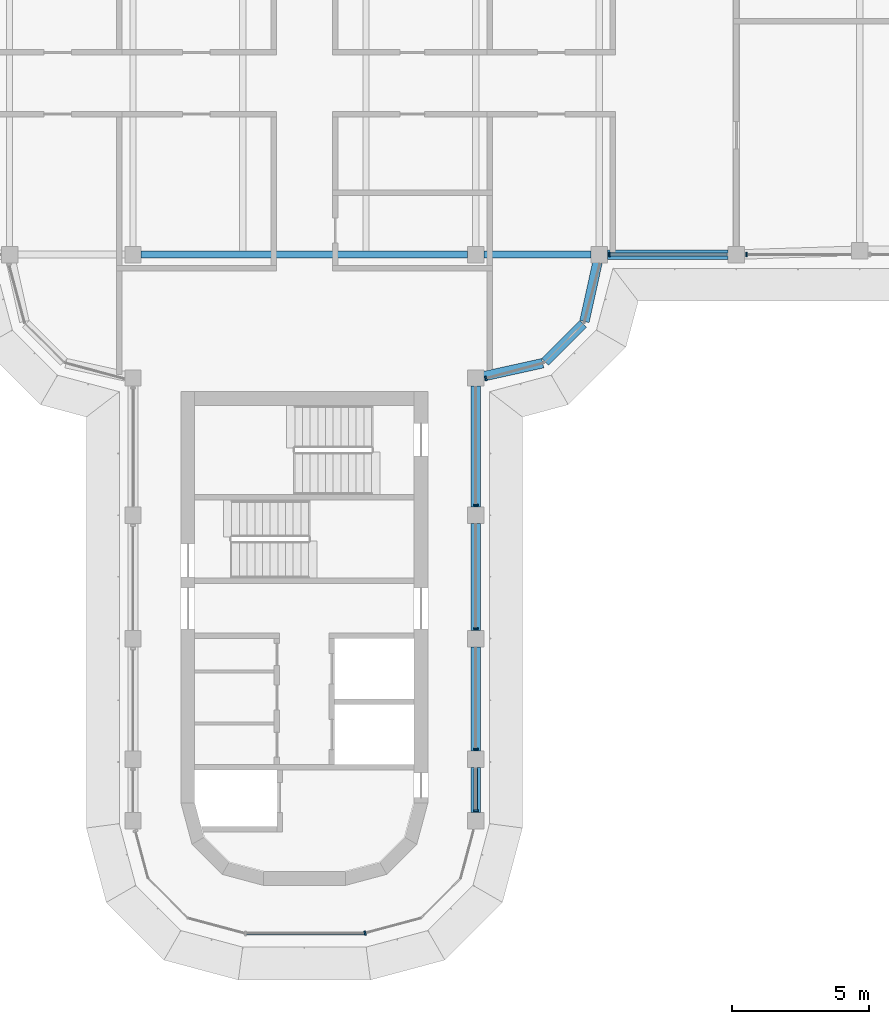
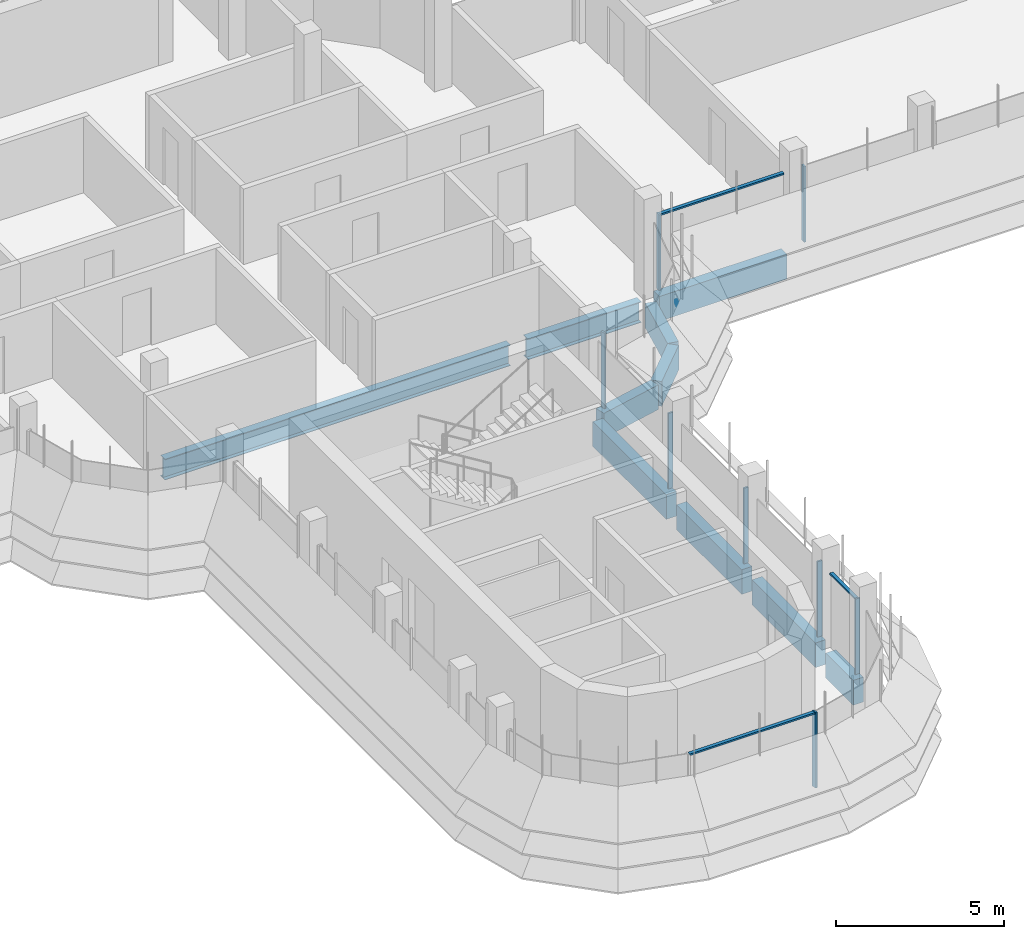
# One storey, part 4 of 19: 11 members, 10 beams, 5 elements without a shape of their own.
"""IFC4 building model written with IfcOpenShell, lengths in metres."""

from ifc_helpers import new_model, si_unit, direction, frame, origin, origin_2d, place, context, subcontext, project, spatial, polyline, rectangle, i_section, outline, extrude, source, transform, mapped, material, material_profile, profile_set, type_object, element, aggregate, save


model = new_model("IFC4")

# Units and contexts
model_context = context("Model", 3, precision=1e-05, world=origin(), true_north=direction((0.0, 1.0)))
body_context = subcontext(model_context, "Body", "Model", "MODEL_VIEW")
ifc_project = project(units=[si_unit("LENGTHUNIT", "METRE"), si_unit("AREAUNIT", "SQUARE_METRE"), si_unit("VOLUMEUNIT", "CUBIC_METRE"), si_unit("PLANEANGLEUNIT", "RADIAN"), si_unit("MASSUNIT", "GRAM", prefix="KILO")], contexts=[model_context])

# Site, building, storey
site_placement = place(None, origin())
site = spatial("IfcSite", under=ifc_project, at=site_placement, CompositionType="ELEMENT")
building_placement = place(site_placement, origin())
building = spatial("IfcBuilding", under=site, at=building_placement, Name="Zarbagh Exchange Tower", CompositionType="ELEMENT")
storey_placement = place(building_placement, frame((0.0, 0.0, 268.800048828125)))
storey = spatial("IfcBuildingStorey", under=building, at=storey_placement, Name="L66", CompositionType="ELEMENT", Elevation=268.800048828125)

# Beams
ifc_material_1 = material(Name="Steel ASTM A992 Gr 50", Category="steel")
ifc_material_profile_1 = material_profile(ifc_material_1, i_section(OverallWidth=0.2666015625, OverallDepth=0.7568359375, WebThickness=0.013916015625, FlangeThickness=0.019287109375, at=origin_2d()), Name="W30X108")
ifc_profile_set_1 = profile_set([ifc_material_profile_1], Name="Steel ASTM A992 Gr 50")
beam_type_1 = type_object("IfcBeamType", Name="Floor girder W30X108", PredefinedType="BEAM", material=ifc_profile_set_1)
beam_1_placement = place(storey_placement, frame((-5.949951171875, -6.25, -0.528564453125), z_axis=(1.0, 0.0, 0.0), x_axis=(0.0, 1.0, 0.0)))
element("IfcBeam", 1, at=beam_1_placement, inside=storey, type_object=beam_type_1, Name="Steel girder", PredefinedType="BEAM", context=body_context, shape_type="SweptSolid", body=[
    extrude(i_section(OverallWidth=0.2666015625, OverallDepth=0.7568359375, WebThickness=0.013916015625, FlangeThickness=0.019287109375, at=origin_2d()), origin(), (0.0, 0.0, 1.0), 11.89990234375),
])
beam_2_placement = place(storey_placement, frame((6.550048828125, -6.25, -0.528564453125), z_axis=(1.0, 0.0, 0.0), x_axis=(0.0, 1.0, 0.0)))
element("IfcBeam", 2, at=beam_2_placement, inside=storey, type_object=beam_type_1, Name="Steel girder", PredefinedType="BEAM", context=body_context, shape_type="SweptSolid", body=[
    extrude(i_section(OverallWidth=0.2666015625, OverallDepth=0.7568359375, WebThickness=0.013916015625, FlangeThickness=0.019287109375, at=origin_2d()), origin(), (0.0, 0.0, 1.0), 3.89990234375),
])
ifc_material_2 = material(Name="Concrete C40/50", Category="concrete")
ifc_material_profile_2 = material_profile(ifc_material_2, rectangle(XDim=0.35009765625, YDim=0.89990234375, at=origin_2d()), Name="RC spandrel beam 350 x 900 C40/50")
ifc_profile_set_2 = profile_set([ifc_material_profile_2], Name="Concrete C40/50")
beam_type_2 = type_object("IfcBeamType", Name="RC spandrel beam 350 x 900 C40/50", PredefinedType="SPANDREL", material=ifc_profile_set_2)
beam_3_placement = place(storey_placement, frame((15.449951171875, -6.25, -0.60009765625), z_axis=(-1.0, 0.0, 0.0), x_axis=(0.0, -1.0, 0.0)))
element("IfcBeam", 3, at=beam_3_placement, inside=storey, type_object=beam_type_2, Name="RC spandrel beam", PredefinedType="SPANDREL", context=body_context, shape_type="SweptSolid", body=[
    extrude(rectangle(XDim=0.35009765625, YDim=0.89990234375, at=origin_2d()), origin(), (0.0, 0.0, 1.0), 4.39990234375),
])
beam_4_placement = place(storey_placement, frame((10.685302734375, -6.54296875, -0.60009765625), z_axis=(-0.216025770228, -0.976387662047, 0.0), x_axis=(0.976387662047, -0.216025770228, 0.0)))
element("IfcBeam", 4, at=beam_4_placement, inside=storey, type_object=beam_type_2, Name="RC spandrel beam", PredefinedType="SPANDREL", context=body_context, shape_type="SweptSolid", body=[
    extrude(rectangle(XDim=0.35009765625, YDim=0.89990234375, at=origin_2d()), origin(), (0.0, 0.0, 1.0), 2.200439453125),
])
beam_5_placement = place(storey_placement, frame((10.16259765625, -8.77734375, -0.60009765625), z_axis=(-0.707106781187, -0.707106781187, 0.0), x_axis=(0.707106781187, -0.707106781187, 0.0)))
element("IfcBeam", 5, at=beam_5_placement, inside=storey, type_object=beam_type_2, Name="RC spandrel beam", PredefinedType="SPANDREL", context=body_context, shape_type="SweptSolid", body=[
    extrude(rectangle(XDim=0.35009765625, YDim=0.89990234375, at=origin_2d()), origin(), (0.0, 0.0, 1.0), 1.958984375),
])
beam_6_placement = place(storey_placement, frame((8.69140625, -10.2099609375, -0.60009765625), z_axis=(-0.976387662047, -0.216025770228, 0.0), x_axis=(0.216025770228, -0.976387662047, 0.0)))
element("IfcBeam", 6, at=beam_6_placement, inside=storey, type_object=beam_type_2, Name="RC spandrel beam", PredefinedType="SPANDREL", context=body_context, shape_type="SweptSolid", body=[
    extrude(rectangle(XDim=0.35009765625, YDim=0.89990234375, at=origin_2d()), origin(), (0.0, 0.0, 1.0), 2.200439453125),
])
beam_7_placement = place(storey_placement, frame((6.25, -11.050048828125, -0.60009765625), z_axis=(0.0, -1.0, 0.0), x_axis=(1.0, 0.0, 0.0)))
element("IfcBeam", 7, at=beam_7_placement, inside=storey, type_object=beam_type_2, Name="RC spandrel beam", PredefinedType="SPANDREL", context=body_context, shape_type="SweptSolid", body=[
    extrude(rectangle(XDim=0.35009765625, YDim=0.89990234375, at=origin_2d()), origin(), (0.0, 0.0, 1.0), 4.39990234375),
])
beam_8_placement = place(storey_placement, frame((6.25, -16.050048828125, -0.60009765625), z_axis=(0.0, -1.0, 0.0), x_axis=(1.0, 0.0, 0.0)))
element("IfcBeam", 8, at=beam_8_placement, inside=storey, type_object=beam_type_2, Name="RC spandrel beam", PredefinedType="SPANDREL", context=body_context, shape_type="SweptSolid", body=[
    extrude(rectangle(XDim=0.35009765625, YDim=0.89990234375, at=origin_2d()), origin(), (0.0, 0.0, 1.0), 3.89990234375),
])
beam_9_placement = place(storey_placement, frame((6.25, -20.550048828125, -0.60009765625), z_axis=(0.0, -1.0, 0.0), x_axis=(1.0, 0.0, 0.0)))
element("IfcBeam", 9, at=beam_9_placement, inside=storey, type_object=beam_type_2, Name="RC spandrel beam", PredefinedType="SPANDREL", context=body_context, shape_type="SweptSolid", body=[
    extrude(rectangle(XDim=0.35009765625, YDim=0.89990234375, at=origin_2d()), origin(), (0.0, 0.0, 1.0), 3.800048828125),
])
beam_10_placement = place(storey_placement, frame((6.25, -24.949951171875, -0.60009765625), z_axis=(0.0, -1.0, 0.0), x_axis=(1.0, 0.0, 0.0)))
element("IfcBeam", 10, at=beam_10_placement, inside=storey, type_object=beam_type_2, Name="RC spandrel beam", PredefinedType="SPANDREL", context=body_context, shape_type="SweptSolid", body=[
    extrude(rectangle(XDim=0.35009765625, YDim=0.89990234375, at=origin_2d()), origin(), (0.0, 0.0, 1.0), 1.650146484375),
])

# Curtain wall, member
ifc_material_3 = material(Name="Anodised aluminium frame and glazing", Category="aluminium")
curtain_wall_type = type_object("IfcCurtainWallType", Name="CWB Ribbon glazing, upper zones", PredefinedType="NOTDEFINED", material=ifc_material_3)
curtain_wall_1_placement = place(storey_placement, origin())
curtain_wall_1 = element("IfcCurtainWall", 11, at=curtain_wall_1_placement, inside=storey, type_object=curtain_wall_type, Name="CWB49 curtain wall", PredefinedType="NOTDEFINED")
ifc_material_4 = material(Name="Anodised aluminium frame", Category="aluminium")
member_type_1 = type_object("IfcMemberType", Name="MUB Mullion, anodised aluminium frame", PredefinedType="MULLION", material=ifc_material_4)
shared_shape_1 = source(origin(), body_context, "Body", "SweptSolid", [
    extrude(outline(polyline([(0.0, -0.080078125), (0.06005859375, -0.080078125), (0.06005859375, 0.080078125), (0.0, 0.080078125), (0.0, -0.080078125)])), origin(), (0.0, 0.0, 1.0), 2.75),
])
placement = place(storey_placement, origin())
member_1 = element("IfcMember", 12, at=placement, type_object=member_type_1, Name="CWB49 mullion 1.1", PredefinedType="MULLION", context=body_context, shape_type="MappedRepresentation", body=[
    mapped(shared_shape_1, transform((2.18408203125, -31.0, 0.0), x_axis=(0.965924289636, 0.258824779902, 0.0), y_axis=(-0.258824779902, 0.965924289636, 0.0), z_axis=(0.0, 0.0, 1.0))),
])
aggregate(curtain_wall_1, [member_1])

# Curtain wall, members
curtain_wall_2_placement = place(storey_placement, origin())
curtain_wall_2 = element("IfcCurtainWall", 13, at=curtain_wall_2_placement, inside=storey, type_object=curtain_wall_type, Name="CWB52 curtain wall", PredefinedType="NOTDEFINED")
member_2 = element("IfcMember", 14, at=placement, type_object=member_type_1, Name="CWB52 mullion 1.1", PredefinedType="MULLION", context=body_context, shape_type="MappedRepresentation", body=[
    mapped(shared_shape_1, transform((6.25, -26.56005859375, 0.0), x_axis=(0.0, 1.0, 0.0), y_axis=(-1.0, 0.0, 0.0), z_axis=(0.0, 0.0, 1.0))),
])
member_3 = element("IfcMember", 15, at=placement, type_object=member_type_1, Name="CWB52 mullion 2.1", PredefinedType="MULLION", context=body_context, shape_type="MappedRepresentation", body=[
    mapped(shared_shape_1, transform((6.25, -24.31005859375, 0.0), x_axis=(0.0, 1.0, 0.0), y_axis=(-1.0, 0.0, 0.0), z_axis=(0.0, 0.0, 1.0))),
])
member_4 = element("IfcMember", 16, at=placement, type_object=member_type_1, Name="CWB52 mullion 3.1", PredefinedType="MULLION", context=body_context, shape_type="MappedRepresentation", body=[
    mapped(shared_shape_1, transform((6.25, -19.909912109375, 0.0), x_axis=(0.0, 1.0, 0.0), y_axis=(-1.0, 0.0, 0.0), z_axis=(0.0, 0.0, 1.0))),
])
member_5 = element("IfcMember", 17, at=placement, type_object=member_type_1, Name="CWB52 mullion 4.1", PredefinedType="MULLION", context=body_context, shape_type="MappedRepresentation", body=[
    mapped(shared_shape_1, transform((6.25, -15.409912109375, 0.0), x_axis=(0.0, 1.0, 0.0), y_axis=(-1.0, 0.0, 0.0), z_axis=(0.0, 0.0, 1.0))),
])

# Curtain wall, member
curtain_wall_3_placement = place(storey_placement, origin())
curtain_wall_3 = element("IfcCurtainWall", 18, at=curtain_wall_3_placement, inside=storey, type_object=curtain_wall_type, Name="CWB05 curtain wall", PredefinedType="NOTDEFINED")
member_6 = element("IfcMember", 19, at=placement, type_object=member_type_1, Name="CWB05 mullion 1.1", PredefinedType="MULLION", context=body_context, shape_type="MappedRepresentation", body=[
    mapped(shared_shape_1, transform((6.590087890625, -10.775146484375, 0.0), x_axis=(0.965924289636, 0.258824779902, 0.0), y_axis=(-0.258824779902, 0.965924289636, 0.0), z_axis=(0.0, 0.0, 1.0))),
])
aggregate(curtain_wall_3, [member_6])

# Curtain wall, members
curtain_wall_4_placement = place(storey_placement, origin())
curtain_wall_4 = element("IfcCurtainWall", 20, at=curtain_wall_4_placement, inside=storey, type_object=curtain_wall_type, Name="CWB75 curtain wall", PredefinedType="NOTDEFINED")
member_7 = element("IfcMember", 21, at=placement, type_object=member_type_1, Name="CWB75 mullion 1.1", PredefinedType="MULLION", context=body_context, shape_type="MappedRepresentation", body=[
    mapped(shared_shape_1, transform((11.090087890625, -6.25, 0.0), x_axis=(1.0, 0.0, 0.0), y_axis=(0.0, 1.0, 0.0), z_axis=(0.0, 0.0, 1.0))),
])
member_8 = element("IfcMember", 22, at=placement, type_object=member_type_1, Name="CWB75 mullion 2.1", PredefinedType="MULLION", context=body_context, shape_type="MappedRepresentation", body=[
    mapped(shared_shape_1, transform((16.090087890625, -6.25, 0.0), x_axis=(1.0, 0.0, 0.0), y_axis=(0.0, 1.0, 0.0), z_axis=(0.0, 0.0, 1.0))),
])

# Curtain wall, member
curtain_wall_5_placement = place(storey_placement, origin())
curtain_wall_5 = element("IfcCurtainWall", 23, at=curtain_wall_5_placement, inside=storey, type_object=curtain_wall_type, Name="CWB57 curtain wall", PredefinedType="NOTDEFINED")
member_type_2 = type_object("IfcMemberType", Name="TRB Transom, anodised aluminium frame", PredefinedType="USERDEFINED", material=ifc_material_4)
shared_shape_2 = source(origin(), body_context, "Body", "SweptSolid", [
    extrude(outline(polyline([(-0.06005859375, -0.06005859375), (0.0, -0.06005859375), (0.0, 0.06005859375), (-0.06005859375, 0.06005859375), (-0.06005859375, -0.06005859375)])), origin(), (0.0, 0.0, 1.0), 4.308349609375),
])
member_9 = element("IfcMember", 24, at=placement, type_object=member_type_2, Name="CWB57 transom 1.1", ObjectType="TRANSOM", PredefinedType="USERDEFINED", context=body_context, shape_type="MappedRepresentation", body=[
    mapped(shared_shape_2, transform((-2.124267578125, -31.0, 2.75), x_axis=(0.0, 0.0, 1.0), y_axis=(0.0, -1.0, 0.0), z_axis=(1.0, 0.0, 0.0))),
])
aggregate(curtain_wall_5, [member_9])

# Member
shared_shape_3 = source(origin(), body_context, "Body", "SweptSolid", [
    extrude(outline(polyline([(-0.06005859375, -0.06005859375), (0.0, -0.06005859375), (0.0, 0.06005859375), (-0.06005859375, 0.06005859375), (-0.06005859375, -0.06005859375)])), origin(), (0.0, 0.0, 1.0), 1.510009765625),
])
member_10 = element("IfcMember", 25, at=placement, type_object=member_type_2, Name="CWB52 transom 1.1", ObjectType="TRANSOM", PredefinedType="USERDEFINED", context=body_context, shape_type="MappedRepresentation", body=[
    mapped(shared_shape_3, transform((6.25, -26.5, 2.75), x_axis=(0.0, 0.0, 1.0), y_axis=(1.0, 0.0, 0.0), z_axis=(0.0, 1.0, 0.0))),
])

aggregate(curtain_wall_2, [member_2, member_10, member_3, member_4, member_5])

shared_shape_4 = source(origin(), body_context, "Body", "SweptSolid", [
    extrude(outline(polyline([(-0.06005859375, -0.06005859375), (0.0, -0.06005859375), (0.0, 0.06005859375), (-0.06005859375, 0.06005859375), (-0.06005859375, -0.06005859375)])), origin(), (0.0, 0.0, 1.0), 4.260009765625),
])
member_11 = element("IfcMember", 26, at=placement, type_object=member_type_2, Name="CWB75 transom 1.1", ObjectType="TRANSOM", PredefinedType="USERDEFINED", context=body_context, shape_type="MappedRepresentation", body=[
    mapped(shared_shape_4, transform((11.150146484375, -6.25, 2.75), x_axis=(0.0, 0.0, 1.0), y_axis=(0.0, -1.0, 0.0), z_axis=(1.0, 0.0, 0.0))),
])

aggregate(curtain_wall_4, [member_7, member_11, member_8])

save(model, "model.ifc")
